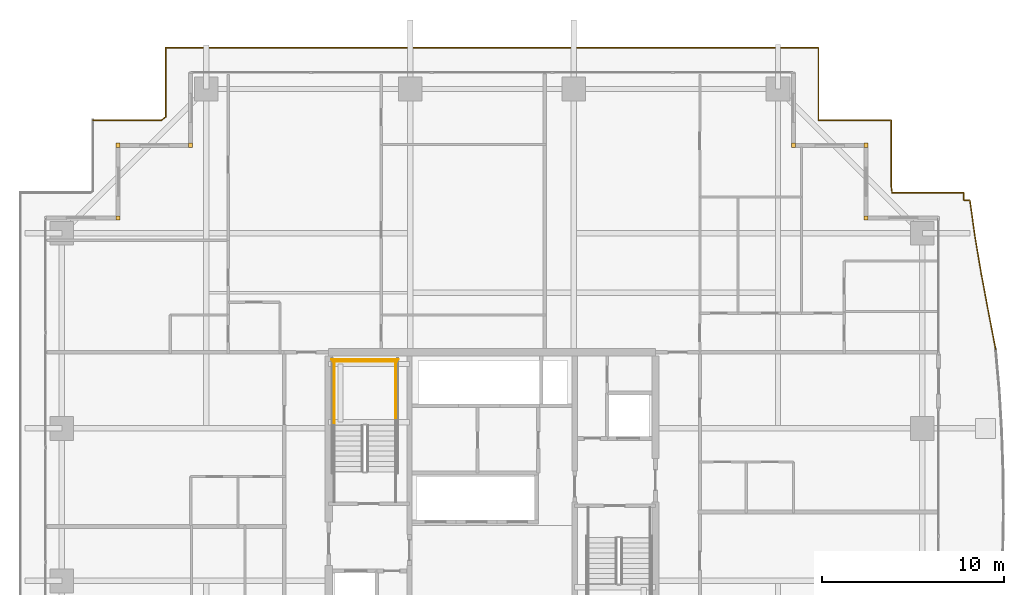
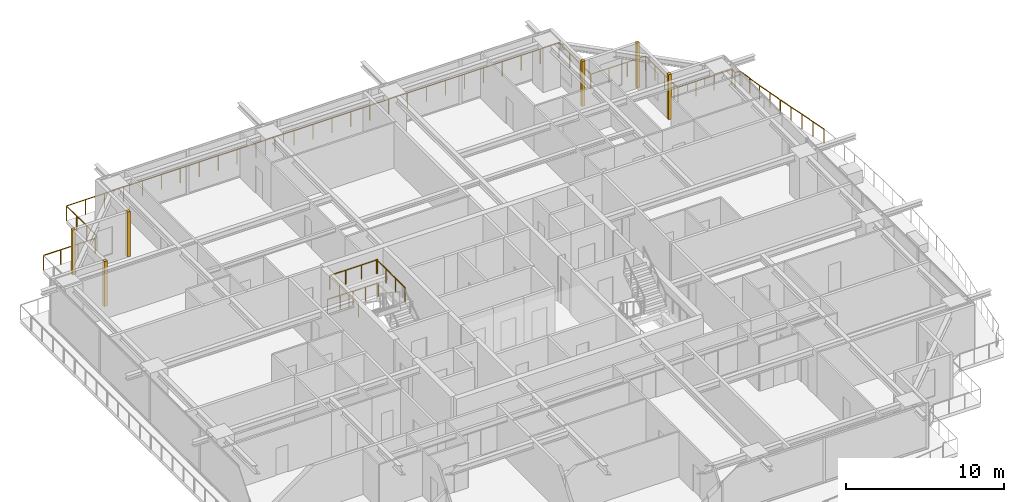
# One storey, part 36 of 36: 6 coverings, 6 railings.
"""IFC4 building model written with IfcOpenShell, lengths in metres."""

import ifcopenshell
import ifcopenshell.guid

model = None  # the IFC model being written
_history = None  # IfcOwnerHistory: only IFC2X3 demands one
_inside = {}  # id of a spatial element -> (the spatial element, [elements in it])
_under = {}  # id of a project, library or spatial element -> (it, [spatial elements below it])
_declared = {}  # id of a project -> (the project, [libraries it declares])
_typed = {}  # id of a type object -> (the type object, [elements of that type])
_made_of = {}  # id of a material, layer set ... -> (it, [elements and type objects made of it])


def new_model(schema):
    """Start an empty IFC model of exactly this schema.

    Asked for "IFC4X3", IfcOpenShell would pick the latest addendum, in which some entities
    have other attributes; the version numbers below select the first issue.
    IFC2X3 requires an IfcOwnerHistory on every rooted entity: one is made here for all.
    """
    global model, _history
    if schema == "IFC4X3":
        model = ifcopenshell.file(schema_version=(4, 3, 0, 0))
    else:
        model = ifcopenshell.file(schema=schema)
    _inside.clear()
    _under.clear()
    _declared.clear()
    _typed.clear()
    _made_of.clear()
    _history = None
    if model.schema == "IFC2X3":
        org = make("IfcOrganization", Name="unknown")
        user = make(
            "IfcPersonAndOrganization",
            ThePerson=make("IfcPerson", FamilyName="unknown"),
            TheOrganization=org,
        )
        app = make(
            "IfcApplication",
            ApplicationDeveloper=org,
            Version="unknown",
            ApplicationFullName="unknown",
            ApplicationIdentifier="unknown",
        )
        _history = make(
            "IfcOwnerHistory",
            OwningUser=user,
            OwningApplication=app,
            ChangeAction="ADDED",
            CreationDate=0,
        )
    return model


def make(cls, **values):
    """One entity of the class cls with the attributes given. An attribute that is None is left unset."""
    return model.create_entity(
        cls, **{name: value for name, value in values.items() if value is not None}
    )


def rooted(cls, **values):
    """An entity with a GlobalId (a new one), such as an element, a storey or a relation."""
    return make(cls, GlobalId=ifcopenshell.guid.new(), OwnerHistory=_history, **values)


def si_unit(unit_type, name, prefix=None):
    """IfcSIUnit, for example si_unit("LENGTHUNIT", "METRE", prefix="MILLI")."""
    return make("IfcSIUnit", UnitType=unit_type, Prefix=prefix, Name=name)


def assignment(units):
    """IfcUnitAssignment: the units of a project."""
    return None if units is None else make("IfcUnitAssignment", Units=units)


def point(xyz):
    """IfcCartesianPoint."""
    return None if xyz is None else make("IfcCartesianPoint", Coordinates=xyz)


def direction(xyz):
    """IfcDirection."""
    return None if xyz is None else make("IfcDirection", DirectionRatios=xyz)


def frame(location, z_axis=None, x_axis=None):
    """IfcAxis2Placement3D, a coordinate frame: its origin and axes. An axis left out is left unset."""
    return make(
        "IfcAxis2Placement3D",
        Location=point(location),
        Axis=direction(z_axis),
        RefDirection=direction(x_axis),
    )


def frame_2d(location, x_axis=None):
    """IfcAxis2Placement2D, a coordinate frame in the plane: its origin and x axis."""
    return make(
        "IfcAxis2Placement2D", Location=point(location), RefDirection=direction(x_axis)
    )


def origin():
    """The frame at (0, 0, 0) with its axes left unset."""
    return frame((0.0, 0.0, 0.0))


def origin_2d():
    """The frame at (0, 0) in the plane with its x axis left unset."""
    return frame_2d((0.0, 0.0))


def place(relative_to, where):
    """IfcLocalPlacement: puts the frame where relative to a parent placement (None: the world)."""
    return make(
        "IfcLocalPlacement", PlacementRelTo=relative_to, RelativePlacement=where
    )


def context(
    kind, dimensions, precision=None, world=None, true_north=None, identifier=None
):
    """IfcGeometricRepresentationContext, for example the 3D "Model" context."""
    return make(
        "IfcGeometricRepresentationContext",
        ContextIdentifier=identifier,
        ContextType=kind,
        CoordinateSpaceDimension=dimensions,
        Precision=precision,
        WorldCoordinateSystem=world,
        TrueNorth=true_north,
    )


def subcontext(parent, identifier, kind, view, scale=None):
    """IfcGeometricRepresentationSubContext, for example "Body" below "Model"."""
    return make(
        "IfcGeometricRepresentationSubContext",
        ContextIdentifier=identifier,
        ContextType=kind,
        ParentContext=parent,
        TargetScale=scale,
        TargetView=view,
    )


def project(units=None, contexts=None):
    """IfcProject with its units and contexts."""
    return rooted(
        "IfcProject",
        Name="project",
        RepresentationContexts=contexts,
        UnitsInContext=assignment(units),
    )


def spatial(cls, under=None, at=None, **own):
    """A site, building, storey or space (cls), placed at a placement, below another one or the project."""
    s = rooted(cls, ObjectPlacement=at, **own)
    if under is not None:
        _under.setdefault(under.id(), (under, []))[1].append(s)
    return s


def profile(cls, at=None, kind="AREA", **sizes):
    """A parametric profile (cls). Its sizes go by their IFC names, for example OverallWidth=200.0."""
    return make(cls, ProfileType=kind, Position=at, **sizes)


def rectangle(**sizes):
    """IfcRectangleProfileDef."""
    return profile("IfcRectangleProfileDef", **sizes)


def circle(**sizes):
    """IfcCircleProfileDef."""
    return profile("IfcCircleProfileDef", **sizes)


def extrude(swept, where, along, depth):
    """IfcExtrudedAreaSolid: the profile swept, set in the frame where, extruded along a direction by depth."""
    return make(
        "IfcExtrudedAreaSolid",
        SweptArea=swept,
        Position=where,
        ExtrudedDirection=direction(along),
        Depth=depth,
    )


def shape(context_of_items, identifier, shape_type, items):
    """IfcShapeRepresentation: the items that make up one representation, for example the "Body"."""
    return make(
        "IfcShapeRepresentation",
        ContextOfItems=context_of_items,
        RepresentationIdentifier=identifier,
        RepresentationType=shape_type,
        Items=items,
    )


def source(mapping_origin, context_of_items, identifier, shape_type, items):
    """IfcRepresentationMap: a shape defined once, which mapped items show again and again."""
    return make(
        "IfcRepresentationMap",
        MappingOrigin=mapping_origin,
        MappedRepresentation=shape(context_of_items, identifier, shape_type, items),
    )


def transform(
    local_origin,
    x_axis=None,
    y_axis=None,
    z_axis=None,
    scale=None,
    scale2=None,
    scale3=None,
    uniform=True,
):
    """IfcCartesianTransformationOperator3D, or its non-uniform kind. x_axis, y_axis, z_axis: its Axis1, 2, 3."""
    if uniform:
        return make(
            "IfcCartesianTransformationOperator3D",
            Axis1=direction(x_axis),
            Axis2=direction(y_axis),
            LocalOrigin=point(local_origin),
            Scale=scale,
            Axis3=direction(z_axis),
        )
    return make(
        "IfcCartesianTransformationOperator3DnonUniform",
        Axis1=direction(x_axis),
        Axis2=direction(y_axis),
        LocalOrigin=point(local_origin),
        Scale=scale,
        Axis3=direction(z_axis),
        Scale2=scale2,
        Scale3=scale3,
    )


def mapped(mapping_source, mapping_target):
    """IfcMappedItem: shows the shape of a source again, moved by a transform."""
    return make(
        "IfcMappedItem", MappingSource=mapping_source, MappingTarget=mapping_target
    )


def material(Name=None, Category=None):
    """IfcMaterial."""
    return make("IfcMaterial", Name=Name, Category=Category)


def layer(
    of_material, thickness, ventilated=None, Name=None, Category=None, Priority=None
):
    """IfcMaterialLayer: one layer of a wall or slab, of a material (None: an air gap)."""
    return make(
        "IfcMaterialLayer",
        Material=of_material,
        LayerThickness=thickness,
        IsVentilated=ventilated,
        Name=Name,
        Category=Category,
        Priority=Priority,
    )


def layer_set(layers, Name=None):
    """IfcMaterialLayerSet."""
    return make("IfcMaterialLayerSet", MaterialLayers=layers, LayerSetName=Name)


def made_of(thing, what):
    """Note that an element or type object is made of a material, layer set ...; save() writes the relation."""
    if what is not None:
        _made_of.setdefault(what.id(), (what, []))[1].append(thing)
    return thing


def type_object(cls, material=None, **own):
    """A type object (cls), such as IfcWallType, which elements share."""
    return made_of(rooted(cls, **own), material)


def element(
    cls,
    number,
    at=None,
    inside=None,
    cuts=None,
    type_object=None,
    material=None,
    context=None,
    identifier="Body",
    shape_type=None,
    held_by="IfcProductDefinitionShape",
    body=None,
    shapes=None,
    **own,
):
    """One element of the class cls, such as IfcWall. Its Tag is "e" and its number.

    at: its placement. inside: the storey or other place that contains it. cuts: it is an
    opening in that element (IfcRelVoidsElement). A single representation is given by context,
    identifier, shape_type and body (its items); several are given by shapes. held_by: the class
    of the entity that holds the representations. save() writes the other relations.
    """
    e = rooted(cls, Tag="e%d" % number, ObjectPlacement=at, **own)
    if body is not None:
        shapes = [shape(context, identifier, shape_type, body)]
    if shapes is not None:
        e.Representation = make(held_by, Representations=shapes)
    if inside is not None:
        _inside.setdefault(inside.id(), (inside, []))[1].append(e)
    if cuts is not None:
        rooted(
            "IfcRelVoidsElement", RelatingBuildingElement=cuts, RelatedOpeningElement=e
        )
    if type_object is not None:
        _typed.setdefault(type_object.id(), (type_object, []))[1].append(e)
    return made_of(e, material)


def aggregate(whole, parts):
    """IfcRelAggregates: a whole, such as a stair, and the parts it consists of."""
    return rooted("IfcRelAggregates", RelatingObject=whole, RelatedObjects=parts)


def save(model, path):
    """Write the relations noted so far, then the file.

    IfcRelAggregates (storeys below a building ...), IfcRelContainedInSpatialStructure (elements
    in a storey), IfcRelDefinesByType, IfcRelAssociatesMaterial and IfcRelDeclares: one each for
    every whole, place, type object, material and project.
    """
    for whole, parts in _under.values():
        aggregate(whole, parts)
    for where, things in _inside.values():
        rooted(
            "IfcRelContainedInSpatialStructure",
            RelatedElements=things,
            RelatingStructure=where,
        )
    for kind, things in _typed.values():
        rooted("IfcRelDefinesByType", RelatedObjects=things, RelatingType=kind)
    for what, things in _made_of.values():
        rooted("IfcRelAssociatesMaterial", RelatedObjects=things, RelatingMaterial=what)
    for by, libraries in _declared.values():
        rooted("IfcRelDeclares", RelatingContext=by, RelatedDefinitions=libraries)
    model.write(path)


model = new_model("IFC4")

# Units and contexts
model_context = context("Model", 3, precision=1e-05, world=origin(), true_north=direction((0.0, 1.0)))
body_context = subcontext(model_context, "Body", "Model", "MODEL_VIEW")
ifc_project = project(units=[si_unit("LENGTHUNIT", "METRE"), si_unit("AREAUNIT", "SQUARE_METRE"), si_unit("VOLUMEUNIT", "CUBIC_METRE"), si_unit("PLANEANGLEUNIT", "RADIAN"), si_unit("MASSUNIT", "GRAM", prefix="KILO")], contexts=[model_context])

# Site, building, storey
site_placement = place(None, origin())
site = spatial("IfcSite", under=ifc_project, at=site_placement, CompositionType="ELEMENT")
building_placement = place(site_placement, origin())
building = spatial("IfcBuilding", under=site, at=building_placement, Name="Serunith Strait Residences", CompositionType="ELEMENT")
storey_placement = place(building_placement, frame((0.0, 0.0, 131.39990234375)))
storey = spatial("IfcBuildingStorey", under=building, at=storey_placement, Name="L32", CompositionType="ELEMENT", Elevation=131.39990234375)

# Railings
ifc_material_1 = material(Name="Stainless Steel & Laminated Glass Balustrade", Category="steel")
railing_type_1 = type_object("IfcRailingType", Name="RLG-BALC-1150", PredefinedType="BALUSTRADE", material=ifc_material_1)
railing_1_placement = place(storey_placement, frame((10.419921875, 46.3798828125, -0.0498046875)))
element("IfcRailing", 1, at=railing_1_placement, inside=storey, type_object=railing_type_1, Name="L32 Swirling Balcony Perimeter Balustrade 2", PredefinedType="BALUSTRADE", context=body_context, shape_type="SweptSolid", body=[
    extrude(circle(Radius=0.02392578125, at=origin_2d()), frame((0.001953125, 0.0, 1.1259765625), z_axis=(1.0, 0.0, 0.0), x_axis=(0.0, 1.0, 0.0)), (0.0, 0.0, 1.0), 3.7744140625),
    extrude(circle(Radius=0.02392578125, at=origin_2d()), frame((3.77978515625, 0.001220703125, 1.1259765625), z_axis=(0.777683480837, 0.628656029664, 0.0), x_axis=(-0.628656029664, 0.777683480837, 0.0)), (0.0, 0.0, 1.0), 0.281005859375),
    extrude(circle(Radius=0.02392578125, at=origin_2d()), frame((4.0, 0.18115234375, 1.1259765625), z_axis=(0.0, 1.0, 0.0), x_axis=(-1.0, 0.0, 0.0)), (0.0, 0.0, 1.0), 3.81689453125),
    extrude(circle(Radius=0.02392578125, at=origin_2d()), frame((4.001953125, 4.0, 1.1259765625), z_axis=(1.0, 0.0, 0.0), x_axis=(0.0, 1.0, 0.0)), (0.0, 0.0, 1.0), 35.9560546875),
    extrude(circle(Radius=0.02392578125, at=origin_2d()), frame((39.9599609375, 3.998046875, 1.1259765625), z_axis=(0.0, -1.0, 0.0), x_axis=(1.0, 0.0, 0.0)), (0.0, 0.0, 1.0), 3.99609375),
    extrude(circle(Radius=0.02392578125, at=origin_2d()), frame((39.9619140625, 0.0, 1.1259765625), z_axis=(1.0, 0.0, 0.0), x_axis=(0.0, 1.0, 0.0)), (0.0, 0.0, 1.0), 3.99609375),
    extrude(circle(Radius=0.02392578125, at=origin_2d()), frame((43.9599609375, -0.001953125, 1.1259765625), z_axis=(0.0, -1.0, 0.0), x_axis=(1.0, 0.0, 0.0)), (0.0, 0.0, 1.0), 3.589599609375),
    extrude(circle(Radius=0.02392578125, at=origin_2d()), frame((43.960205078125, -3.595458984375, 1.1259765625), z_axis=(0.147904745408, -0.989001610861, 0.0), x_axis=(0.989001610861, 0.147904745408, 0.0)), (0.0, 0.0, 1.0), 0.406982421875),
    extrude(circle(Radius=0.02099609375, at=origin_2d()), origin(), (0.0, 0.0, 1.0), 1.099853515625),
    extrude(circle(Radius=0.02099609375, at=origin_2d()), frame((1.259521484375, 0.0, 0.0)), (0.0, 0.0, 1.0), 1.099853515625),
    extrude(circle(Radius=0.02099609375, at=origin_2d()), frame((2.518798828125, 0.0, 0.0)), (0.0, 0.0, 1.0), 1.099853515625),
    extrude(circle(Radius=0.02099609375, at=origin_2d()), frame((3.7783203125, 0.0, 0.0)), (0.0, 0.0, 1.0), 1.099853515625),
    extrude(circle(Radius=0.02099609375, at=origin_2d()), frame((4.0, 0.17919921875, 0.0)), (0.0, 0.0, 1.0), 1.099853515625),
    extrude(circle(Radius=0.02099609375, at=origin_2d()), frame((4.0, 1.452880859375, 0.0)), (0.0, 0.0, 1.0), 1.099853515625),
    extrude(circle(Radius=0.02099609375, at=origin_2d()), frame((4.0, 2.726318359375, 0.0)), (0.0, 0.0, 1.0), 1.099853515625),
    extrude(circle(Radius=0.02099609375, at=origin_2d()), frame((4.0, 4.0, 0.0)), (0.0, 0.0, 1.0), 1.099853515625),
    extrude(circle(Radius=0.02099609375, at=origin_2d()), frame((5.383056640625, 4.0, 0.0)), (0.0, 0.0, 1.0), 1.099853515625),
    extrude(circle(Radius=0.02099609375, at=origin_2d()), frame((6.76611328125, 4.0, 0.0)), (0.0, 0.0, 1.0), 1.099853515625),
    extrude(circle(Radius=0.02099609375, at=origin_2d()), frame((8.149169921875, 4.0, 0.0)), (0.0, 0.0, 1.0), 1.099853515625),
    extrude(circle(Radius=0.02099609375, at=origin_2d()), frame((9.5322265625, 4.0, 0.0)), (0.0, 0.0, 1.0), 1.099853515625),
    extrude(circle(Radius=0.02099609375, at=origin_2d()), frame((10.915283203125, 4.0, 0.0)), (0.0, 0.0, 1.0), 1.099853515625),
    extrude(circle(Radius=0.02099609375, at=origin_2d()), frame((12.29833984375, 4.0, 0.0)), (0.0, 0.0, 1.0), 1.099853515625),
    extrude(circle(Radius=0.02099609375, at=origin_2d()), frame((13.681640625, 4.0, 0.0)), (0.0, 0.0, 1.0), 1.099853515625),
    extrude(circle(Radius=0.02099609375, at=origin_2d()), frame((15.064697265625, 4.0, 0.0)), (0.0, 0.0, 1.0), 1.099853515625),
    extrude(circle(Radius=0.02099609375, at=origin_2d()), frame((16.44775390625, 4.0, 0.0)), (0.0, 0.0, 1.0), 1.099853515625),
    extrude(circle(Radius=0.02099609375, at=origin_2d()), frame((17.830810546875, 4.0, 0.0)), (0.0, 0.0, 1.0), 1.099853515625),
    extrude(circle(Radius=0.02099609375, at=origin_2d()), frame((19.2138671875, 4.0, 0.0)), (0.0, 0.0, 1.0), 1.099853515625),
    extrude(circle(Radius=0.02099609375, at=origin_2d()), frame((20.596923828125, 4.0, 0.0)), (0.0, 0.0, 1.0), 1.099853515625),
    extrude(circle(Radius=0.02099609375, at=origin_2d()), frame((21.97998046875, 4.0, 0.0)), (0.0, 0.0, 1.0), 1.099853515625),
    extrude(circle(Radius=0.02099609375, at=origin_2d()), frame((23.363037109375, 4.0, 0.0)), (0.0, 0.0, 1.0), 1.099853515625),
    extrude(circle(Radius=0.02099609375, at=origin_2d()), frame((24.74609375, 4.0, 0.0)), (0.0, 0.0, 1.0), 1.099853515625),
    extrude(circle(Radius=0.02099609375, at=origin_2d()), frame((26.129150390625, 4.0, 0.0)), (0.0, 0.0, 1.0), 1.099853515625),
    extrude(circle(Radius=0.02099609375, at=origin_2d()), frame((27.51220703125, 4.0, 0.0)), (0.0, 0.0, 1.0), 1.099853515625),
    extrude(circle(Radius=0.02099609375, at=origin_2d()), frame((28.895263671875, 4.0, 0.0)), (0.0, 0.0, 1.0), 1.099853515625),
    extrude(circle(Radius=0.02099609375, at=origin_2d()), frame((30.2783203125, 4.0, 0.0)), (0.0, 0.0, 1.0), 1.099853515625),
    extrude(circle(Radius=0.02099609375, at=origin_2d()), frame((31.66162109375, 4.0, 0.0)), (0.0, 0.0, 1.0), 1.099853515625),
    extrude(circle(Radius=0.02099609375, at=origin_2d()), frame((33.044677734375, 4.0, 0.0)), (0.0, 0.0, 1.0), 1.099853515625),
    extrude(circle(Radius=0.02099609375, at=origin_2d()), frame((34.427734375, 4.0, 0.0)), (0.0, 0.0, 1.0), 1.099853515625),
    extrude(circle(Radius=0.02099609375, at=origin_2d()), frame((35.810791015625, 4.0, 0.0)), (0.0, 0.0, 1.0), 1.099853515625),
    extrude(circle(Radius=0.02099609375, at=origin_2d()), frame((37.19384765625, 4.0, 0.0)), (0.0, 0.0, 1.0), 1.099853515625),
    extrude(circle(Radius=0.02099609375, at=origin_2d()), frame((38.576904296875, 4.0, 0.0)), (0.0, 0.0, 1.0), 1.099853515625),
    extrude(circle(Radius=0.02099609375, at=origin_2d()), frame((39.9599609375, 4.0, 0.0)), (0.0, 0.0, 1.0), 1.099853515625),
    extrude(circle(Radius=0.02099609375, at=origin_2d()), frame((39.9599609375, 2.666748046875, 0.0)), (0.0, 0.0, 1.0), 1.099853515625),
    extrude(circle(Radius=0.02099609375, at=origin_2d()), frame((39.9599609375, 1.333251953125, 0.0)), (0.0, 0.0, 1.0), 1.099853515625),
    extrude(circle(Radius=0.02099609375, at=origin_2d()), frame((39.9599609375, 0.0, 0.0)), (0.0, 0.0, 1.0), 1.099853515625),
    extrude(circle(Radius=0.02099609375, at=origin_2d()), frame((41.293212890625, 0.0, 0.0)), (0.0, 0.0, 1.0), 1.099853515625),
    extrude(circle(Radius=0.02099609375, at=origin_2d()), frame((42.626708984375, 0.0, 0.0)), (0.0, 0.0, 1.0), 1.099853515625),
    extrude(circle(Radius=0.02099609375, at=origin_2d()), frame((43.9599609375, 0.0, 0.0)), (0.0, 0.0, 1.0), 1.099853515625),
    extrude(circle(Radius=0.02099609375, at=origin_2d()), frame((43.9599609375, -1.19775390625, 0.0)), (0.0, 0.0, 1.0), 1.099853515625),
    extrude(circle(Radius=0.02099609375, at=origin_2d()), frame((43.9599609375, -2.395751953125, 0.0)), (0.0, 0.0, 1.0), 1.099853515625),
    extrude(circle(Radius=0.02099609375, at=origin_2d()), frame((43.9599609375, -3.593505859375, 0.0)), (0.0, 0.0, 1.0), 1.099853515625),
    extrude(circle(Radius=0.02099609375, at=origin_2d()), frame((44.020751953125, -4.0, 0.0)), (0.0, 0.0, 1.0), 1.099853515625),
])
railing_2_placement = place(storey_placement, frame((54.440673828125, 42.3798828125, -0.0498046875)))
element("IfcRailing", 2, at=railing_2_placement, inside=storey, type_object=railing_type_1, Name="L32 Swirling Balcony Perimeter Balustrade 3", PredefinedType="BALUSTRADE", context=body_context, shape_type="SweptSolid", body=[
    extrude(circle(Radius=0.02392578125, at=origin_2d()), frame((0.001953125, 0.0, 1.1259765625), z_axis=(1.0, 0.0, 0.0), x_axis=(0.0, 1.0, 0.0)), (0.0, 0.0, 1.0), 3.935302734375),
    extrude(circle(Radius=0.02392578125, at=origin_2d()), frame((3.939208984375, -0.001953125, 1.1259765625), z_axis=(0.0, -1.0, 0.0), x_axis=(1.0, 0.0, 0.0)), (0.0, 0.0, 1.0), 0.394287109375),
    extrude(circle(Radius=0.02392578125, at=origin_2d()), frame((3.941162109375, -0.398193359375, 1.1259765625), z_axis=(0.998402607021, -0.056499860999, 0.0), x_axis=(0.056499860999, 0.998402607021, 0.0)), (0.0, 0.0, 1.0), 0.33740234375),
    extrude(circle(Radius=0.02392578125, at=origin_2d()), frame((4.2802734375, -0.41943359375, 1.1259765625), z_axis=(0.140423096071, -0.990091588738, 0.0), x_axis=(0.990091588738, 0.140423096071, 0.0)), (0.0, 0.0, 1.0), 2.016357421875),
    extrude(circle(Radius=0.02392578125, at=origin_2d()), frame((4.56396484375, -2.419677734375, 1.1259765625), z_axis=(0.165886834519, -0.986144795724, 0.0), x_axis=(0.986144795724, 0.165886834519, 0.0)), (0.0, 0.0, 1.0), 2.044677734375),
    extrude(circle(Radius=0.02392578125, at=origin_2d()), frame((4.904052734375, -4.43994140625, 1.1259765625), z_axis=(0.184577166112, -0.982818024738, 0.0), x_axis=(0.982818024738, 0.184577166112, 0.0)), (0.0, 0.0, 1.0), 2.08984375),
    extrude(circle(Radius=0.02392578125, at=origin_2d()), frame((5.29052734375, -6.497802734375, 1.1259765625), z_axis=(0.190028957424, -0.981778485882, 0.0), x_axis=(0.981778485882, 0.190028957424, 0.0)), (0.0, 0.0, 1.0), 2.149169921875),
    extrude(circle(Radius=0.02099609375, at=origin_2d()), origin(), (0.0, 0.0, 1.0), 1.099853515625),
    extrude(circle(Radius=0.02099609375, at=origin_2d()), frame((1.31298828125, 0.0, 0.0)), (0.0, 0.0, 1.0), 1.099853515625),
    extrude(circle(Radius=0.02099609375, at=origin_2d()), frame((2.626220703125, 0.0, 0.0)), (0.0, 0.0, 1.0), 1.099853515625),
    extrude(circle(Radius=0.02099609375, at=origin_2d()), frame((3.939208984375, 0.0, 0.0)), (0.0, 0.0, 1.0), 1.099853515625),
    extrude(circle(Radius=0.02099609375, at=origin_2d()), frame((3.939208984375, -0.398193359375, 0.0)), (0.0, 0.0, 1.0), 1.099853515625),
    extrude(circle(Radius=0.02099609375, at=origin_2d()), frame((4.280029296875, -0.41748046875, 0.0)), (0.0, 0.0, 1.0), 1.099853515625),
    extrude(circle(Radius=0.02099609375, at=origin_2d()), frame((4.421875, -1.41748046875, 0.0)), (0.0, 0.0, 1.0), 1.099853515625),
    extrude(circle(Radius=0.02099609375, at=origin_2d()), frame((4.563720703125, -2.417724609375, 0.0)), (0.0, 0.0, 1.0), 1.099853515625),
    extrude(circle(Radius=0.02099609375, at=origin_2d()), frame((4.733642578125, -3.427734375, 0.0)), (0.0, 0.0, 1.0), 1.099853515625),
    extrude(circle(Radius=0.02099609375, at=origin_2d()), frame((4.903564453125, -4.43798828125, 0.0)), (0.0, 0.0, 1.0), 1.099853515625),
    extrude(circle(Radius=0.02099609375, at=origin_2d()), frame((5.0966796875, -5.466796875, 0.0)), (0.0, 0.0, 1.0), 1.099853515625),
    extrude(circle(Radius=0.02099609375, at=origin_2d()), frame((5.2900390625, -6.495849609375, 0.0)), (0.0, 0.0, 1.0), 1.099853515625),
    extrude(circle(Radius=0.02099609375, at=origin_2d()), frame((5.49462890625, -7.552734375, 0.0)), (0.0, 0.0, 1.0), 1.099853515625),
    extrude(circle(Radius=0.02099609375, at=origin_2d()), frame((5.69921875, -8.60986328125, 0.0)), (0.0, 0.0, 1.0), 1.099853515625),
])
ifc_material_2 = material(Name="Brushed stainless steel 316L", Category="steel")
railing_type_2 = type_object("IfcRailingType", Name="RLG-STAIR-GUARD", PredefinedType="BALUSTRADE", material=ifc_material_2)
for number, where, name in (
    (3, (27.10009765625, 29.550048828125, 1.875), "L32 ST-1 stair guard 3"),
    (4, (23.699951171875, 29.550048828125, 1.875), "L32 ST-1 stair guard 4"),
):
    element("IfcRailing", number, at=place(storey_placement, frame(where)), inside=storey, type_object=railing_type_2, Name=name, PredefinedType="BALUSTRADE", context=body_context, shape_type="SweptSolid", body=[
        extrude(circle(Radius=0.02392578125, at=origin_2d()), frame((0.0, 0.001953125, 1.076171875), z_axis=(0.0, 1.0, 0.0), x_axis=(-1.0, 0.0, 0.0)), (0.0, 0.0, 1.0), 3.595947265625),
        extrude(circle(Radius=0.02099609375, at=origin_2d()), origin(), (0.0, 0.0, 1.0), 1.050048828125),
        extrude(circle(Radius=0.02099609375, at=origin_2d()), frame((0.0, 1.199951171875, 0.0)), (0.0, 0.0, 1.0), 1.050048828125),
        extrude(circle(Radius=0.02099609375, at=origin_2d()), frame((0.0, 2.39990234375, 0.0)), (0.0, 0.0, 1.0), 1.050048828125),
        extrude(circle(Radius=0.02099609375, at=origin_2d()), frame((0.0, 3.599853515625, 0.0)), (0.0, 0.0, 1.0), 1.050048828125),
    ])
railing_3_placement = place(storey_placement, frame((27.14990234375, 33.10009765625, 1.875)))
element("IfcRailing", 5, at=railing_3_placement, inside=storey, type_object=railing_type_2, Name="L32 ST-1 stair guard 5", PredefinedType="BALUSTRADE", context=body_context, shape_type="SweptSolid", body=[
    extrude(circle(Radius=0.02392578125, at=origin_2d()), frame((-0.001953125, 0.0, 1.076171875), z_axis=(-1.0, 0.0, 0.0), x_axis=(0.0, -1.0, 0.0)), (0.0, 0.0, 1.0), 3.49609375),
    extrude(circle(Radius=0.02099609375, at=origin_2d()), origin(), (0.0, 0.0, 1.0), 1.050048828125),
    extrude(circle(Radius=0.02099609375, at=origin_2d()), frame((-1.166748046875, 0.0, 0.0)), (0.0, 0.0, 1.0), 1.050048828125),
    extrude(circle(Radius=0.02099609375, at=origin_2d()), frame((-2.333251953125, 0.0, 0.0)), (0.0, 0.0, 1.0), 1.050048828125),
    extrude(circle(Radius=0.02099609375, at=origin_2d()), frame((-3.5, 0.0, 0.0)), (0.0, 0.0, 1.0), 1.050048828125),
])
railing_4_placement = place(storey_placement, frame((27.25, 33.199951171875, 0.0)))
element("IfcRailing", 6, at=railing_4_placement, inside=storey, type_object=railing_type_2, Name="L32 ST-1 stair guard 12", PredefinedType="BALUSTRADE", context=body_context, shape_type="SweptSolid", body=[
    extrude(circle(Radius=0.02392578125, at=origin_2d()), frame((-0.001953125, 0.0, 1.076171875), z_axis=(-1.0, 0.0, 0.0), x_axis=(0.0, -1.0, 0.0)), (0.0, 0.0, 1.0), 3.696044921875),
    extrude(circle(Radius=0.02099609375, at=origin_2d()), origin(), (0.0, 0.0, 1.0), 1.050048828125),
    extrude(circle(Radius=0.02099609375, at=origin_2d()), frame((-0.925048828125, 0.0, 0.0)), (0.0, 0.0, 1.0), 1.050048828125),
    extrude(circle(Radius=0.02099609375, at=origin_2d()), frame((-1.85009765625, 0.0, 0.0)), (0.0, 0.0, 1.0), 1.050048828125),
    extrude(circle(Radius=0.02099609375, at=origin_2d()), frame((-2.77490234375, 0.0, 0.0)), (0.0, 0.0, 1.0), 1.050048828125),
    extrude(circle(Radius=0.02099609375, at=origin_2d()), frame((-3.699951171875, 0.0, 0.0)), (0.0, 0.0, 1.0), 1.050048828125),
])

# Coverings
ifc_material_3 = material(Name="Pale-Champagne Anodised Aluminium", Category="aluminium")
ifc_layer = layer(ifc_material_3, 0.219970703125, Name="Pale-Champagne Anodised Aluminium")
ifc_layer_set = layer_set([ifc_layer], Name="Pale-Champagne Anodised Aluminium")
covering_type = type_object("IfcCoveringType", Name="COV-CORN-TRIM", PredefinedType="CLADDING", material=ifc_layer_set)
shared_shape = source(origin(), body_context, "Body", "SweptSolid", [
    extrude(rectangle(XDim=0.221923828125, YDim=0.221923828125, at=origin_2d()), origin(), (0.0, 0.0, 1.0), 3.47509765625),
])
for number, where, z_axis, x_axis, name in (
    (7, (53.0, 41.0, 0.0), (0.0, 0.0, 1.0), (1.0, 0.0, 0.0), "L32 Girih Serrated Corner Trim Post 07"),
    (8, (53.0, 45.0, 0.0), (0.0, 0.0, 1.0), (1.0, 0.0, 0.0), "L32 Girih Serrated Corner Trim Post 08"),
    (9, (49.0, 45.0, 0.0), (0.0, 0.0, 1.0), (1.0, 0.0, 0.0), "L32 Girih Serrated Corner Trim Post 09"),
    (10, (15.800048828125, 45.0, 0.0), (0.0, 0.0, 1.0), (1.0, 0.0, 0.0), "L32 Girih Serrated Corner Trim Post 12"),
    (11, (11.800048828125, 45.0, 0.0), (0.0, 0.0, 1.0), (1.0, 0.0, 0.0), "L32 Girih Serrated Corner Trim Post 13"),
    (12, (11.800048828125, 41.0, 0.0), (0.0, 0.0, 1.0), (1.0, 0.0, 0.0), "L32 Girih Serrated Corner Trim Post 14"),
):
    element("IfcCovering", number, at=place(storey_placement, frame(where, z_axis=z_axis, x_axis=x_axis)), inside=storey, type_object=covering_type, Name=name, PredefinedType="CLADDING", context=body_context, shape_type="MappedRepresentation", body=[
        mapped(shared_shape, transform((0.0, 0.0, 0.0), scale=1.0)),
    ])

save(model, "model.ifc")
